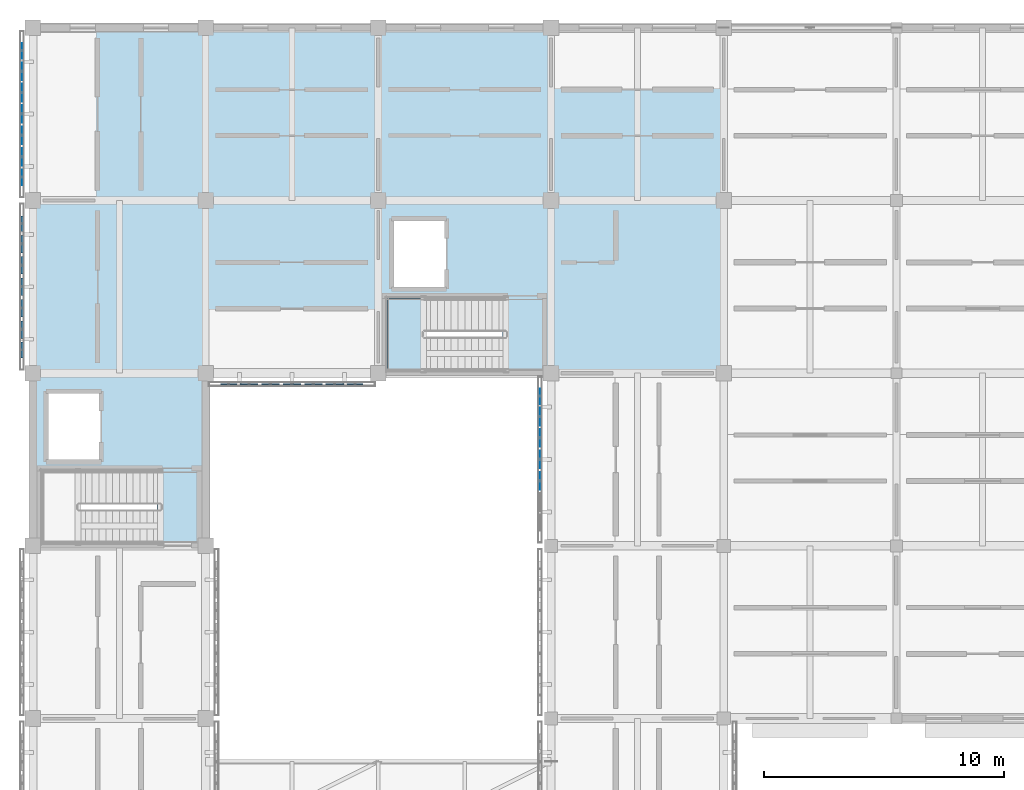
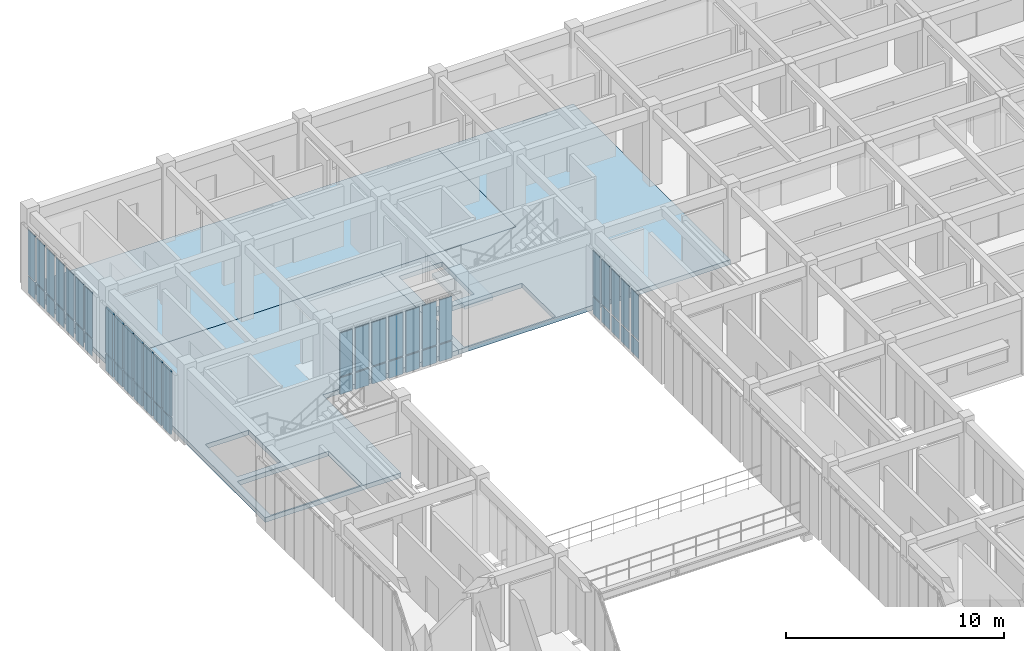
# One storey, part 53 of 91: 52 plates, 4 slabs, 5 elements without a shape of their own.
"""IFC4 building model written with IfcOpenShell, lengths in metres."""

from ifc_helpers import new_model, si_unit, direction, frame, origin, origin_2d, place, context, subcontext, project, spatial, polyline, rectangle, outline, extrude, material, layer, layer_set, type_object, element, aggregate, save


model = new_model("IFC4")

# Units and contexts
model_context = context("Model", 3, precision=1e-05, world=origin(), true_north=direction((0.0, 1.0)))
body_context = subcontext(model_context, "Body", "Model", "MODEL_VIEW")
ifc_project = project(units=[si_unit("LENGTHUNIT", "METRE"), si_unit("AREAUNIT", "SQUARE_METRE"), si_unit("VOLUMEUNIT", "CUBIC_METRE"), si_unit("PLANEANGLEUNIT", "RADIAN"), si_unit("MASSUNIT", "GRAM", prefix="KILO")], contexts=[model_context])

# Site, building, storey
site_placement = place(None, origin())
site = spatial("IfcSite", under=ifc_project, at=site_placement, CompositionType="ELEMENT")
building_placement = place(site_placement, origin())
building = spatial("IfcBuilding", under=site, at=building_placement, Name="Aldebral Square Health Centre", CompositionType="ELEMENT")
storey_placement = place(building_placement, frame((0.0, 0.0, 9.0)))
storey = spatial("IfcBuildingStorey", under=building, at=storey_placement, Name="L02", CompositionType="ELEMENT", Elevation=9.0)

# Curtain wall, plates
ifc_material_1 = material(Name="Aluminium and low-E solar glass", Category="aluminium")
curtain_wall_type = type_object("IfcCurtainWallType", Name="CW-FIN-SYS", PredefinedType="USERDEFINED", material=ifc_material_1)
curtain_wall_1_placement = place(storey_placement, origin())
curtain_wall_1 = element("IfcCurtainWall", 1, at=curtain_wall_1_placement, inside=storey, type_object=curtain_wall_type, Name="L02 V4 finned curtain wall L02-V4-00-15-W", ObjectType="SOLAR_CURTAIN_WALL", PredefinedType="USERDEFINED")
ifc_material_2 = material(Name="Solar-control low-E double glass", Category="glass")
ifc_layer_1 = layer(ifc_material_2, 0.02001953125, Name="Solar-control low-E double glass", Category="glass")
ifc_layer_set_1 = layer_set([ifc_layer_1], Name="Solar-control low-E double glass")
plate_type_1 = type_object("IfcPlateType", Name="CWP-GLZ-1", PredefinedType="CURTAIN_PANEL", material=ifc_layer_set_1)
plate_1_placement = place(storey_placement, frame((-0.4599609375, 114.234375, 0.074951171875), z_axis=(0.0, 0.0, 1.0), x_axis=(0.0, -1.0, 0.0)))
plate_1 = element("IfcPlate", 2, at=plate_1_placement, type_object=plate_type_1, Name="CW1 panel 1.1", PredefinedType="CURTAIN_PANEL", context=body_context, shape_type="SweptSolid", body=[
    extrude(rectangle(XDim=0.6513671875, YDim=0.02001953125, at=origin_2d()), origin(), (0.0, 0.0, 1.0), 0.9375),
])
plate_2_placement = place(storey_placement, frame((-0.4599609375, 114.234375, 1.08740234375), z_axis=(0.0, 0.0, 1.0), x_axis=(0.0, -1.0, 0.0)))
plate_2 = element("IfcPlate", 3, at=plate_2_placement, type_object=plate_type_1, Name="CW1 panel 1.2", PredefinedType="CURTAIN_PANEL", context=body_context, shape_type="SweptSolid", body=[
    extrude(rectangle(XDim=0.6513671875, YDim=0.02001953125, at=origin_2d()), origin(), (0.0, 0.0, 1.0), 2.527587890625),
])
plate_3_placement = place(storey_placement, frame((-0.4599609375, 113.3828125, 0.074951171875), z_axis=(0.0, 0.0, 1.0), x_axis=(0.0, -1.0, 0.0)))
plate_3 = element("IfcPlate", 4, at=plate_3_placement, type_object=plate_type_1, Name="CW1 panel 2.1", PredefinedType="CURTAIN_PANEL", context=body_context, shape_type="SweptSolid", body=[
    extrude(rectangle(XDim=0.7314453125, YDim=0.02001953125, at=origin_2d()), origin(), (0.0, 0.0, 1.0), 0.9375),
])
plate_4_placement = place(storey_placement, frame((-0.4599609375, 113.3828125, 1.08740234375), z_axis=(0.0, 0.0, 1.0), x_axis=(0.0, -1.0, 0.0)))
plate_4 = element("IfcPlate", 5, at=plate_4_placement, type_object=plate_type_1, Name="CW1 panel 2.2", PredefinedType="CURTAIN_PANEL", context=body_context, shape_type="SweptSolid", body=[
    extrude(rectangle(XDim=0.7314453125, YDim=0.02001953125, at=origin_2d()), origin(), (0.0, 0.0, 1.0), 2.527587890625),
])
plate_5_placement = place(storey_placement, frame((-0.4599609375, 112.491455078125, 0.074951171875), z_axis=(0.0, 0.0, 1.0), x_axis=(0.0, -1.0, 0.0)))
plate_5 = element("IfcPlate", 6, at=plate_5_placement, type_object=plate_type_1, Name="CW1 panel 3.1", PredefinedType="CURTAIN_PANEL", context=body_context, shape_type="SweptSolid", body=[
    extrude(rectangle(XDim=0.7314453125, YDim=0.02001953125, at=origin_2d()), origin(), (0.0, 0.0, 1.0), 0.9375),
])
plate_6_placement = place(storey_placement, frame((-0.4599609375, 112.491455078125, 1.08740234375), z_axis=(0.0, 0.0, 1.0), x_axis=(0.0, -1.0, 0.0)))
plate_6 = element("IfcPlate", 7, at=plate_6_placement, type_object=plate_type_1, Name="CW1 panel 3.2", PredefinedType="CURTAIN_PANEL", context=body_context, shape_type="SweptSolid", body=[
    extrude(rectangle(XDim=0.7314453125, YDim=0.02001953125, at=origin_2d()), origin(), (0.0, 0.0, 1.0), 2.527587890625),
])
plate_7_placement = place(storey_placement, frame((-0.4599609375, 111.60009765625, 0.074951171875), z_axis=(0.0, 0.0, 1.0), x_axis=(0.0, -1.0, 0.0)))
plate_7 = element("IfcPlate", 8, at=plate_7_placement, type_object=plate_type_1, Name="CW1 panel 4.1", PredefinedType="CURTAIN_PANEL", context=body_context, shape_type="SweptSolid", body=[
    extrude(rectangle(XDim=0.7314453125, YDim=0.02001953125, at=origin_2d()), origin(), (0.0, 0.0, 1.0), 0.9375),
])
plate_8_placement = place(storey_placement, frame((-0.4599609375, 111.60009765625, 1.08740234375), z_axis=(0.0, 0.0, 1.0), x_axis=(0.0, -1.0, 0.0)))
plate_8 = element("IfcPlate", 9, at=plate_8_placement, type_object=plate_type_1, Name="CW1 panel 4.2", PredefinedType="CURTAIN_PANEL", context=body_context, shape_type="SweptSolid", body=[
    extrude(rectangle(XDim=0.7314453125, YDim=0.02001953125, at=origin_2d()), origin(), (0.0, 0.0, 1.0), 2.527587890625),
])
plate_9_placement = place(storey_placement, frame((-0.4599609375, 110.70849609375, 0.074951171875), z_axis=(0.0, 0.0, 1.0), x_axis=(0.0, -1.0, 0.0)))
plate_9 = element("IfcPlate", 10, at=plate_9_placement, type_object=plate_type_1, Name="CW1 panel 5.1", PredefinedType="CURTAIN_PANEL", context=body_context, shape_type="SweptSolid", body=[
    extrude(rectangle(XDim=0.7314453125, YDim=0.02001953125, at=origin_2d()), origin(), (0.0, 0.0, 1.0), 0.9375),
])
plate_10_placement = place(storey_placement, frame((-0.4599609375, 110.70849609375, 1.08740234375), z_axis=(0.0, 0.0, 1.0), x_axis=(0.0, -1.0, 0.0)))
plate_10 = element("IfcPlate", 11, at=plate_10_placement, type_object=plate_type_1, Name="CW1 panel 5.2", PredefinedType="CURTAIN_PANEL", context=body_context, shape_type="SweptSolid", body=[
    extrude(rectangle(XDim=0.7314453125, YDim=0.02001953125, at=origin_2d()), origin(), (0.0, 0.0, 1.0), 2.527587890625),
])
plate_11_placement = place(storey_placement, frame((-0.4599609375, 109.817138671875, 0.074951171875), z_axis=(0.0, 0.0, 1.0), x_axis=(0.0, -1.0, 0.0)))
plate_11 = element("IfcPlate", 12, at=plate_11_placement, type_object=plate_type_1, Name="CW1 panel 6.1", PredefinedType="CURTAIN_PANEL", context=body_context, shape_type="SweptSolid", body=[
    extrude(rectangle(XDim=0.7314453125, YDim=0.02001953125, at=origin_2d()), origin(), (0.0, 0.0, 1.0), 0.9375),
])
plate_12_placement = place(storey_placement, frame((-0.4599609375, 109.817138671875, 1.08740234375), z_axis=(0.0, 0.0, 1.0), x_axis=(0.0, -1.0, 0.0)))
plate_12 = element("IfcPlate", 13, at=plate_12_placement, type_object=plate_type_1, Name="CW1 panel 6.2", PredefinedType="CURTAIN_PANEL", context=body_context, shape_type="SweptSolid", body=[
    extrude(rectangle(XDim=0.7314453125, YDim=0.02001953125, at=origin_2d()), origin(), (0.0, 0.0, 1.0), 2.527587890625),
])
plate_13_placement = place(storey_placement, frame((-0.4599609375, 108.9658203125, 0.074951171875), z_axis=(0.0, 0.0, 1.0), x_axis=(0.0, -1.0, 0.0)))
plate_13 = element("IfcPlate", 14, at=plate_13_placement, type_object=plate_type_1, Name="CW1 panel 7.1", PredefinedType="CURTAIN_PANEL", context=body_context, shape_type="SweptSolid", body=[
    extrude(rectangle(XDim=0.6513671875, YDim=0.02001953125, at=origin_2d()), origin(), (0.0, 0.0, 1.0), 0.9375),
])
plate_14_placement = place(storey_placement, frame((-0.4599609375, 108.9658203125, 1.08740234375), z_axis=(0.0, 0.0, 1.0), x_axis=(0.0, -1.0, 0.0)))
plate_14 = element("IfcPlate", 15, at=plate_14_placement, type_object=plate_type_1, Name="CW1 panel 7.2", PredefinedType="CURTAIN_PANEL", context=body_context, shape_type="SweptSolid", body=[
    extrude(rectangle(XDim=0.6513671875, YDim=0.02001953125, at=origin_2d()), origin(), (0.0, 0.0, 1.0), 2.527587890625),
])
aggregate(curtain_wall_1, [plate_1, plate_2, plate_3, plate_4, plate_5, plate_6, plate_7, plate_8, plate_9, plate_10, plate_11, plate_12, plate_13, plate_14])

curtain_wall_2_placement = place(storey_placement, origin())
curtain_wall_2 = element("IfcCurtainWall", 16, at=curtain_wall_2_placement, inside=storey, type_object=curtain_wall_type, Name="L02 V4 finned curtain wall L02-V4-03-13-W", ObjectType="SOLAR_CURTAIN_WALL", PredefinedType="USERDEFINED")
plate_15_placement = place(storey_placement, frame((21.139892578125, 99.834228515625, 0.074951171875), z_axis=(0.0, 0.0, 1.0), x_axis=(0.0, -1.0, 0.0)))
plate_15 = element("IfcPlate", 17, at=plate_15_placement, type_object=plate_type_1, Name="CW1 panel 1.1", PredefinedType="CURTAIN_PANEL", context=body_context, shape_type="SweptSolid", body=[
    extrude(rectangle(XDim=0.6513671875, YDim=0.02001953125, at=origin_2d()), origin(), (0.0, 0.0, 1.0), 0.9375),
])
plate_16_placement = place(storey_placement, frame((21.139892578125, 99.834228515625, 1.08740234375), z_axis=(0.0, 0.0, 1.0), x_axis=(0.0, -1.0, 0.0)))
plate_16 = element("IfcPlate", 18, at=plate_16_placement, type_object=plate_type_1, Name="CW1 panel 1.2", PredefinedType="CURTAIN_PANEL", context=body_context, shape_type="SweptSolid", body=[
    extrude(rectangle(XDim=0.6513671875, YDim=0.02001953125, at=origin_2d()), origin(), (0.0, 0.0, 1.0), 2.527587890625),
])
plate_17_placement = place(storey_placement, frame((21.139892578125, 98.98291015625, 0.074951171875), z_axis=(0.0, 0.0, 1.0), x_axis=(0.0, -1.0, 0.0)))
plate_17 = element("IfcPlate", 19, at=plate_17_placement, type_object=plate_type_1, Name="CW1 panel 2.1", PredefinedType="CURTAIN_PANEL", context=body_context, shape_type="SweptSolid", body=[
    extrude(rectangle(XDim=0.7314453125, YDim=0.02001953125, at=origin_2d()), origin(), (0.0, 0.0, 1.0), 0.9375),
])
plate_18_placement = place(storey_placement, frame((21.139892578125, 98.98291015625, 1.08740234375), z_axis=(0.0, 0.0, 1.0), x_axis=(0.0, -1.0, 0.0)))
plate_18 = element("IfcPlate", 20, at=plate_18_placement, type_object=plate_type_1, Name="CW1 panel 2.2", PredefinedType="CURTAIN_PANEL", context=body_context, shape_type="SweptSolid", body=[
    extrude(rectangle(XDim=0.7314453125, YDim=0.02001953125, at=origin_2d()), origin(), (0.0, 0.0, 1.0), 2.527587890625),
])
plate_19_placement = place(storey_placement, frame((21.139892578125, 98.09130859375, 0.074951171875), z_axis=(0.0, 0.0, 1.0), x_axis=(0.0, -1.0, 0.0)))
plate_19 = element("IfcPlate", 21, at=plate_19_placement, type_object=plate_type_1, Name="CW1 panel 3.1", PredefinedType="CURTAIN_PANEL", context=body_context, shape_type="SweptSolid", body=[
    extrude(rectangle(XDim=0.7314453125, YDim=0.02001953125, at=origin_2d()), origin(), (0.0, 0.0, 1.0), 0.9375),
])
plate_20_placement = place(storey_placement, frame((21.139892578125, 98.09130859375, 1.08740234375), z_axis=(0.0, 0.0, 1.0), x_axis=(0.0, -1.0, 0.0)))
plate_20 = element("IfcPlate", 22, at=plate_20_placement, type_object=plate_type_1, Name="CW1 panel 3.2", PredefinedType="CURTAIN_PANEL", context=body_context, shape_type="SweptSolid", body=[
    extrude(rectangle(XDim=0.7314453125, YDim=0.02001953125, at=origin_2d()), origin(), (0.0, 0.0, 1.0), 2.527587890625),
])
plate_21_placement = place(storey_placement, frame((21.139892578125, 97.199951171875, 0.074951171875), z_axis=(0.0, 0.0, 1.0), x_axis=(0.0, -1.0, 0.0)))
plate_21 = element("IfcPlate", 23, at=plate_21_placement, type_object=plate_type_1, Name="CW1 panel 4.1", PredefinedType="CURTAIN_PANEL", context=body_context, shape_type="SweptSolid", body=[
    extrude(rectangle(XDim=0.7314453125, YDim=0.02001953125, at=origin_2d()), origin(), (0.0, 0.0, 1.0), 0.9375),
])
plate_22_placement = place(storey_placement, frame((21.139892578125, 97.199951171875, 1.08740234375), z_axis=(0.0, 0.0, 1.0), x_axis=(0.0, -1.0, 0.0)))
plate_22 = element("IfcPlate", 24, at=plate_22_placement, type_object=plate_type_1, Name="CW1 panel 4.2", PredefinedType="CURTAIN_PANEL", context=body_context, shape_type="SweptSolid", body=[
    extrude(rectangle(XDim=0.7314453125, YDim=0.02001953125, at=origin_2d()), origin(), (0.0, 0.0, 1.0), 2.527587890625),
])
plate_23_placement = place(storey_placement, frame((21.139892578125, 96.30859375, 0.074951171875), z_axis=(0.0, 0.0, 1.0), x_axis=(0.0, -1.0, 0.0)))
plate_23 = element("IfcPlate", 25, at=plate_23_placement, type_object=plate_type_1, Name="CW1 panel 5.1", PredefinedType="CURTAIN_PANEL", context=body_context, shape_type="SweptSolid", body=[
    extrude(rectangle(XDim=0.7314453125, YDim=0.02001953125, at=origin_2d()), origin(), (0.0, 0.0, 1.0), 0.9375),
])
plate_24_placement = place(storey_placement, frame((21.139892578125, 96.30859375, 1.08740234375), z_axis=(0.0, 0.0, 1.0), x_axis=(0.0, -1.0, 0.0)))
plate_24 = element("IfcPlate", 26, at=plate_24_placement, type_object=plate_type_1, Name="CW1 panel 5.2", PredefinedType="CURTAIN_PANEL", context=body_context, shape_type="SweptSolid", body=[
    extrude(rectangle(XDim=0.7314453125, YDim=0.02001953125, at=origin_2d()), origin(), (0.0, 0.0, 1.0), 2.527587890625),
])
aggregate(curtain_wall_2, [plate_15, plate_16, plate_17, plate_18, plate_19, plate_20, plate_21, plate_22, plate_23, plate_24])

curtain_wall_3_placement = place(storey_placement, origin())
curtain_wall_3 = element("IfcCurtainWall", 27, at=curtain_wall_3_placement, inside=storey, type_object=curtain_wall_type, Name="L02 V4 finned curtain wall L02-V4-01-14-S", ObjectType="SOLAR_CURTAIN_WALL", PredefinedType="USERDEFINED")
ifc_layer_2 = layer(ifc_material_2, 0.050048828125, Name="Solar-control low-E double glass", Category="glass")
ifc_layer_set_2 = layer_set([ifc_layer_2], Name="Solar-control low-E double glass")
plate_type_2 = type_object("IfcPlateType", Name="CWP-GLZ-4", PredefinedType="CURTAIN_PANEL", material=ifc_layer_set_2)
plate_25_placement = place(storey_placement, frame((8.165771484375, 100.340087890625, 0.074951171875), z_axis=(0.0, 0.0, 1.0), x_axis=(1.0, 0.0, 0.0)))
plate_25 = element("IfcPlate", 28, at=plate_25_placement, type_object=plate_type_2, Name="CW1 panel 1.1", PredefinedType="CURTAIN_PANEL", context=body_context, shape_type="SweptSolid", body=[
    extrude(rectangle(XDim=0.6513671875, YDim=0.050048828125, at=origin_2d()), origin(), (0.0, 0.0, 1.0), 0.9375),
])
plate_26_placement = place(storey_placement, frame((8.165771484375, 100.340087890625, 1.08740234375), z_axis=(0.0, 0.0, 1.0), x_axis=(1.0, 0.0, 0.0)))
plate_26 = element("IfcPlate", 29, at=plate_26_placement, type_object=plate_type_2, Name="CW1 panel 1.2", PredefinedType="CURTAIN_PANEL", context=body_context, shape_type="SweptSolid", body=[
    extrude(rectangle(XDim=0.6513671875, YDim=0.050048828125, at=origin_2d()), origin(), (0.0, 0.0, 1.0), 2.427490234375),
])
plate_27_placement = place(storey_placement, frame((9.01708984375, 100.340087890625, 0.074951171875), z_axis=(0.0, 0.0, 1.0), x_axis=(1.0, 0.0, 0.0)))
plate_27 = element("IfcPlate", 30, at=plate_27_placement, type_object=plate_type_2, Name="CW1 panel 2.1", PredefinedType="CURTAIN_PANEL", context=body_context, shape_type="SweptSolid", body=[
    extrude(rectangle(XDim=0.7314453125, YDim=0.050048828125, at=origin_2d()), origin(), (0.0, 0.0, 1.0), 0.9375),
])
plate_28_placement = place(storey_placement, frame((9.01708984375, 100.340087890625, 1.08740234375), z_axis=(0.0, 0.0, 1.0), x_axis=(1.0, 0.0, 0.0)))
plate_28 = element("IfcPlate", 31, at=plate_28_placement, type_object=plate_type_2, Name="CW1 panel 2.2", PredefinedType="CURTAIN_PANEL", context=body_context, shape_type="SweptSolid", body=[
    extrude(rectangle(XDim=0.7314453125, YDim=0.050048828125, at=origin_2d()), origin(), (0.0, 0.0, 1.0), 2.427490234375),
])
plate_29_placement = place(storey_placement, frame((9.90869140625, 100.340087890625, 0.074951171875), z_axis=(0.0, 0.0, 1.0), x_axis=(1.0, 0.0, 0.0)))
plate_29 = element("IfcPlate", 32, at=plate_29_placement, type_object=plate_type_2, Name="CW1 panel 3.1", PredefinedType="CURTAIN_PANEL", context=body_context, shape_type="SweptSolid", body=[
    extrude(rectangle(XDim=0.7314453125, YDim=0.050048828125, at=origin_2d()), origin(), (0.0, 0.0, 1.0), 0.9375),
])
plate_30_placement = place(storey_placement, frame((9.90869140625, 100.340087890625, 1.08740234375), z_axis=(0.0, 0.0, 1.0), x_axis=(1.0, 0.0, 0.0)))
plate_30 = element("IfcPlate", 33, at=plate_30_placement, type_object=plate_type_2, Name="CW1 panel 3.2", PredefinedType="CURTAIN_PANEL", context=body_context, shape_type="SweptSolid", body=[
    extrude(rectangle(XDim=0.7314453125, YDim=0.050048828125, at=origin_2d()), origin(), (0.0, 0.0, 1.0), 2.427490234375),
])
plate_31_placement = place(storey_placement, frame((10.800048828125, 100.340087890625, 0.074951171875), z_axis=(0.0, 0.0, 1.0), x_axis=(1.0, 0.0, 0.0)))
plate_31 = element("IfcPlate", 34, at=plate_31_placement, type_object=plate_type_2, Name="CW1 panel 4.1", PredefinedType="CURTAIN_PANEL", context=body_context, shape_type="SweptSolid", body=[
    extrude(rectangle(XDim=0.7314453125, YDim=0.050048828125, at=origin_2d()), origin(), (0.0, 0.0, 1.0), 0.9375),
])
plate_32_placement = place(storey_placement, frame((10.800048828125, 100.340087890625, 1.08740234375), z_axis=(0.0, 0.0, 1.0), x_axis=(1.0, 0.0, 0.0)))
plate_32 = element("IfcPlate", 35, at=plate_32_placement, type_object=plate_type_2, Name="CW1 panel 4.2", PredefinedType="CURTAIN_PANEL", context=body_context, shape_type="SweptSolid", body=[
    extrude(rectangle(XDim=0.7314453125, YDim=0.050048828125, at=origin_2d()), origin(), (0.0, 0.0, 1.0), 2.427490234375),
])
plate_33_placement = place(storey_placement, frame((11.69140625, 100.340087890625, 0.074951171875), z_axis=(0.0, 0.0, 1.0), x_axis=(1.0, 0.0, 0.0)))
plate_33 = element("IfcPlate", 36, at=plate_33_placement, type_object=plate_type_2, Name="CW1 panel 5.1", PredefinedType="CURTAIN_PANEL", context=body_context, shape_type="SweptSolid", body=[
    extrude(rectangle(XDim=0.7314453125, YDim=0.050048828125, at=origin_2d()), origin(), (0.0, 0.0, 1.0), 0.9375),
])
plate_34_placement = place(storey_placement, frame((11.69140625, 100.340087890625, 1.08740234375), z_axis=(0.0, 0.0, 1.0), x_axis=(1.0, 0.0, 0.0)))
plate_34 = element("IfcPlate", 37, at=plate_34_placement, type_object=plate_type_2, Name="CW1 panel 5.2", PredefinedType="CURTAIN_PANEL", context=body_context, shape_type="SweptSolid", body=[
    extrude(rectangle(XDim=0.7314453125, YDim=0.050048828125, at=origin_2d()), origin(), (0.0, 0.0, 1.0), 2.427490234375),
])
plate_35_placement = place(storey_placement, frame((12.582763671875, 100.340087890625, 0.074951171875), z_axis=(0.0, 0.0, 1.0), x_axis=(1.0, 0.0, 0.0)))
plate_35 = element("IfcPlate", 38, at=plate_35_placement, type_object=plate_type_2, Name="CW1 panel 6.1", PredefinedType="CURTAIN_PANEL", context=body_context, shape_type="SweptSolid", body=[
    extrude(rectangle(XDim=0.7314453125, YDim=0.050048828125, at=origin_2d()), origin(), (0.0, 0.0, 1.0), 0.9375),
])
plate_36_placement = place(storey_placement, frame((12.582763671875, 100.340087890625, 1.08740234375), z_axis=(0.0, 0.0, 1.0), x_axis=(1.0, 0.0, 0.0)))
plate_36 = element("IfcPlate", 39, at=plate_36_placement, type_object=plate_type_2, Name="CW1 panel 6.2", PredefinedType="CURTAIN_PANEL", context=body_context, shape_type="SweptSolid", body=[
    extrude(rectangle(XDim=0.7314453125, YDim=0.050048828125, at=origin_2d()), origin(), (0.0, 0.0, 1.0), 2.427490234375),
])
plate_37_placement = place(storey_placement, frame((13.434326171875, 100.340087890625, 0.074951171875), z_axis=(0.0, 0.0, 1.0), x_axis=(1.0, 0.0, 0.0)))
plate_37 = element("IfcPlate", 40, at=plate_37_placement, type_object=plate_type_2, Name="CW1 panel 7.1", PredefinedType="CURTAIN_PANEL", context=body_context, shape_type="SweptSolid", body=[
    extrude(rectangle(XDim=0.6513671875, YDim=0.050048828125, at=origin_2d()), origin(), (0.0, 0.0, 1.0), 0.9375),
])
plate_38_placement = place(storey_placement, frame((13.434326171875, 100.340087890625, 1.08740234375), z_axis=(0.0, 0.0, 1.0), x_axis=(1.0, 0.0, 0.0)))
plate_38 = element("IfcPlate", 41, at=plate_38_placement, type_object=plate_type_2, Name="CW1 panel 7.2", PredefinedType="CURTAIN_PANEL", context=body_context, shape_type="SweptSolid", body=[
    extrude(rectangle(XDim=0.6513671875, YDim=0.050048828125, at=origin_2d()), origin(), (0.0, 0.0, 1.0), 2.427490234375),
])
aggregate(curtain_wall_3, [plate_25, plate_26, plate_27, plate_28, plate_29, plate_30, plate_31, plate_32, plate_33, plate_34, plate_35, plate_36, plate_37, plate_38])

curtain_wall_4_placement = place(storey_placement, origin())
curtain_wall_4 = element("IfcCurtainWall", 42, at=curtain_wall_4_placement, inside=storey, type_object=curtain_wall_type, Name="L02 V4 finned curtain wall L02-V4-00-14-W", ObjectType="SOLAR_CURTAIN_WALL", PredefinedType="USERDEFINED")
ifc_layer_3 = layer(ifc_material_2, 0.090087890625, Name="Solar-control low-E double glass", Category="glass")
ifc_layer_set_3 = layer_set([ifc_layer_3], Name="Solar-control low-E double glass")
plate_type_3 = type_object("IfcPlateType", Name="CWP-GLZ-8", PredefinedType="CURTAIN_PANEL", material=ifc_layer_set_3)
plate_39_placement = place(storey_placement, frame((-0.4599609375, 107.0341796875, 0.074951171875), z_axis=(0.0, 0.0, 1.0), x_axis=(0.0, -1.0, 0.0)))
plate_39 = element("IfcPlate", 43, at=plate_39_placement, type_object=plate_type_3, Name="CW1 panel 1.1", PredefinedType="CURTAIN_PANEL", context=body_context, shape_type="SweptSolid", body=[
    extrude(rectangle(XDim=0.6513671875, YDim=0.090087890625, at=origin_2d()), origin(), (0.0, 0.0, 1.0), 0.9375),
])
plate_40_placement = place(storey_placement, frame((-0.4599609375, 107.0341796875, 1.08740234375), z_axis=(0.0, 0.0, 1.0), x_axis=(0.0, -1.0, 0.0)))
plate_40 = element("IfcPlate", 44, at=plate_40_placement, type_object=plate_type_3, Name="CW1 panel 1.2", PredefinedType="CURTAIN_PANEL", context=body_context, shape_type="SweptSolid", body=[
    extrude(rectangle(XDim=0.6513671875, YDim=0.090087890625, at=origin_2d()), origin(), (0.0, 0.0, 1.0), 2.527587890625),
])
plate_41_placement = place(storey_placement, frame((-0.4599609375, 106.182861328125, 0.074951171875), z_axis=(0.0, 0.0, 1.0), x_axis=(0.0, -1.0, 0.0)))
plate_41 = element("IfcPlate", 45, at=plate_41_placement, type_object=plate_type_3, Name="CW1 panel 2.1", PredefinedType="CURTAIN_PANEL", context=body_context, shape_type="SweptSolid", body=[
    extrude(rectangle(XDim=0.7314453125, YDim=0.090087890625, at=origin_2d()), origin(), (0.0, 0.0, 1.0), 0.9375),
])
plate_42_placement = place(storey_placement, frame((-0.4599609375, 106.182861328125, 1.08740234375), z_axis=(0.0, 0.0, 1.0), x_axis=(0.0, -1.0, 0.0)))
plate_42 = element("IfcPlate", 46, at=plate_42_placement, type_object=plate_type_3, Name="CW1 panel 2.2", PredefinedType="CURTAIN_PANEL", context=body_context, shape_type="SweptSolid", body=[
    extrude(rectangle(XDim=0.7314453125, YDim=0.090087890625, at=origin_2d()), origin(), (0.0, 0.0, 1.0), 2.527587890625),
])
plate_43_placement = place(storey_placement, frame((-0.4599609375, 105.29150390625, 0.074951171875), z_axis=(0.0, 0.0, 1.0), x_axis=(0.0, -1.0, 0.0)))
plate_43 = element("IfcPlate", 47, at=plate_43_placement, type_object=plate_type_3, Name="CW1 panel 3.1", PredefinedType="CURTAIN_PANEL", context=body_context, shape_type="SweptSolid", body=[
    extrude(rectangle(XDim=0.7314453125, YDim=0.090087890625, at=origin_2d()), origin(), (0.0, 0.0, 1.0), 0.9375),
])
plate_44_placement = place(storey_placement, frame((-0.4599609375, 105.29150390625, 1.08740234375), z_axis=(0.0, 0.0, 1.0), x_axis=(0.0, -1.0, 0.0)))
plate_44 = element("IfcPlate", 48, at=plate_44_placement, type_object=plate_type_3, Name="CW1 panel 3.2", PredefinedType="CURTAIN_PANEL", context=body_context, shape_type="SweptSolid", body=[
    extrude(rectangle(XDim=0.7314453125, YDim=0.090087890625, at=origin_2d()), origin(), (0.0, 0.0, 1.0), 2.527587890625),
])
plate_45_placement = place(storey_placement, frame((-0.4599609375, 104.39990234375, 0.074951171875), z_axis=(0.0, 0.0, 1.0), x_axis=(0.0, -1.0, 0.0)))
plate_45 = element("IfcPlate", 49, at=plate_45_placement, type_object=plate_type_3, Name="CW1 panel 4.1", PredefinedType="CURTAIN_PANEL", context=body_context, shape_type="SweptSolid", body=[
    extrude(rectangle(XDim=0.7314453125, YDim=0.090087890625, at=origin_2d()), origin(), (0.0, 0.0, 1.0), 0.9375),
])
plate_46_placement = place(storey_placement, frame((-0.4599609375, 104.39990234375, 1.08740234375), z_axis=(0.0, 0.0, 1.0), x_axis=(0.0, -1.0, 0.0)))
plate_46 = element("IfcPlate", 50, at=plate_46_placement, type_object=plate_type_3, Name="CW1 panel 4.2", PredefinedType="CURTAIN_PANEL", context=body_context, shape_type="SweptSolid", body=[
    extrude(rectangle(XDim=0.7314453125, YDim=0.090087890625, at=origin_2d()), origin(), (0.0, 0.0, 1.0), 2.527587890625),
])
plate_47_placement = place(storey_placement, frame((-0.4599609375, 103.508544921875, 0.074951171875), z_axis=(0.0, 0.0, 1.0), x_axis=(0.0, -1.0, 0.0)))
plate_47 = element("IfcPlate", 51, at=plate_47_placement, type_object=plate_type_3, Name="CW1 panel 5.1", PredefinedType="CURTAIN_PANEL", context=body_context, shape_type="SweptSolid", body=[
    extrude(rectangle(XDim=0.7314453125, YDim=0.090087890625, at=origin_2d()), origin(), (0.0, 0.0, 1.0), 0.9375),
])
plate_48_placement = place(storey_placement, frame((-0.4599609375, 103.508544921875, 1.08740234375), z_axis=(0.0, 0.0, 1.0), x_axis=(0.0, -1.0, 0.0)))
plate_48 = element("IfcPlate", 52, at=plate_48_placement, type_object=plate_type_3, Name="CW1 panel 5.2", PredefinedType="CURTAIN_PANEL", context=body_context, shape_type="SweptSolid", body=[
    extrude(rectangle(XDim=0.7314453125, YDim=0.090087890625, at=origin_2d()), origin(), (0.0, 0.0, 1.0), 2.527587890625),
])
plate_49_placement = place(storey_placement, frame((-0.4599609375, 102.6171875, 0.074951171875), z_axis=(0.0, 0.0, 1.0), x_axis=(0.0, -1.0, 0.0)))
plate_49 = element("IfcPlate", 53, at=plate_49_placement, type_object=plate_type_3, Name="CW1 panel 6.1", PredefinedType="CURTAIN_PANEL", context=body_context, shape_type="SweptSolid", body=[
    extrude(rectangle(XDim=0.7314453125, YDim=0.090087890625, at=origin_2d()), origin(), (0.0, 0.0, 1.0), 0.9375),
])
plate_50_placement = place(storey_placement, frame((-0.4599609375, 102.6171875, 1.08740234375), z_axis=(0.0, 0.0, 1.0), x_axis=(0.0, -1.0, 0.0)))
plate_50 = element("IfcPlate", 54, at=plate_50_placement, type_object=plate_type_3, Name="CW1 panel 6.2", PredefinedType="CURTAIN_PANEL", context=body_context, shape_type="SweptSolid", body=[
    extrude(rectangle(XDim=0.7314453125, YDim=0.090087890625, at=origin_2d()), origin(), (0.0, 0.0, 1.0), 2.527587890625),
])
plate_51_placement = place(storey_placement, frame((-0.4599609375, 101.765625, 0.074951171875), z_axis=(0.0, 0.0, 1.0), x_axis=(0.0, -1.0, 0.0)))
plate_51 = element("IfcPlate", 55, at=plate_51_placement, type_object=plate_type_3, Name="CW1 panel 7.1", PredefinedType="CURTAIN_PANEL", context=body_context, shape_type="SweptSolid", body=[
    extrude(rectangle(XDim=0.6513671875, YDim=0.090087890625, at=origin_2d()), origin(), (0.0, 0.0, 1.0), 0.9375),
])
plate_52_placement = place(storey_placement, frame((-0.4599609375, 101.765625, 1.08740234375), z_axis=(0.0, 0.0, 1.0), x_axis=(0.0, -1.0, 0.0)))
plate_52 = element("IfcPlate", 56, at=plate_52_placement, type_object=plate_type_3, Name="CW1 panel 7.2", PredefinedType="CURTAIN_PANEL", context=body_context, shape_type="SweptSolid", body=[
    extrude(rectangle(XDim=0.6513671875, YDim=0.090087890625, at=origin_2d()), origin(), (0.0, 0.0, 1.0), 2.527587890625),
])
aggregate(curtain_wall_4, [plate_39, plate_40, plate_41, plate_42, plate_43, plate_44, plate_45, plate_46, plate_47, plate_48, plate_49, plate_50, plate_51, plate_52])

# Slabs
ifc_material_3 = material(Name="Concrete C35/45", Category="concrete")
ifc_layer_4 = layer(ifc_material_3, 0.260009765625, Name="Concrete C35/45", Category="concrete")
ifc_layer_set_4 = layer_set([ifc_layer_4], Name="Concrete C35/45")
slab_type_1 = type_object("IfcSlabType", Name="SL-FLR-260", PredefinedType="FLOOR", material=ifc_layer_set_4)
slab_1_placement = place(storey_placement, frame((0.0, 0.0, -0.260009765625)))
element("IfcSlab", 57, at=slab_1_placement, inside=storey, type_object=slab_type_1, Name="L02 V4 floor slab 4", PredefinedType="FLOOR", context=body_context, shape_type="SweptSolid", body=[
    extrude(outline(polyline([(0.0, 93.60009765625), (0.0, 100.800048828125), (0.0, 108.0), (7.199951171875, 108.0), (14.39990234375, 108.0), (14.39990234375, 100.800048828125), (7.199951171875, 100.800048828125), (7.199951171875, 93.60009765625), (0.0, 93.60009765625)]), holes=[polyline([(0.340087890625, 96.760009765625), (0.340087890625, 93.679931640625), (5.179931640625, 93.679931640625), (5.179931640625, 96.760009765625), (0.340087890625, 96.760009765625)]), polyline([(2.85009765625, 100.050048828125), (0.550048828125, 100.050048828125), (0.550048828125, 97.10009765625), (2.85009765625, 97.10009765625), (2.85009765625, 100.050048828125)])]), origin(), (0.0, 0.0, 1.0), 0.260009765625),
])
slab_2_placement = place(storey_placement, frame((0.0, 0.0, -0.260009765625)))
element("IfcSlab", 58, at=slab_2_placement, inside=storey, type_object=slab_type_1, Name="L02 V4 floor slab 5", PredefinedType="FLOOR", context=body_context, shape_type="SweptSolid", body=[
    extrude(outline(polyline([(0.0, 115.199951171875), (7.199951171875, 115.199951171875), (14.39990234375, 115.199951171875), (21.60009765625, 115.199951171875), (21.60009765625, 108.0), (14.39990234375, 108.0), (7.199951171875, 108.0), (0.0, 108.0), (0.0, 115.199951171875)])), origin(), (0.0, 0.0, 1.0), 0.260009765625),
])
slab_3_placement = place(storey_placement, frame((0.0, 0.0, -0.260009765625)))
element("IfcSlab", 59, at=slab_3_placement, inside=storey, type_object=slab_type_1, Name="L02 V4 floor slab 7", PredefinedType="FLOOR", context=body_context, shape_type="SweptSolid", body=[
    extrude(outline(polyline([(14.39990234375, 108.0), (21.60009765625, 108.0), (21.60009765625, 115.199951171875), (28.800048828125, 115.199951171875), (28.800048828125, 108.0), (28.800048828125, 100.800048828125), (21.60009765625, 100.800048828125), (14.39990234375, 100.800048828125), (14.39990234375, 108.0)]), holes=[polyline([(19.580078125, 103.9599609375), (14.739990234375, 103.9599609375), (14.739990234375, 100.8798828125), (19.580078125, 100.8798828125), (19.580078125, 103.9599609375)]), polyline([(14.949951171875, 107.25), (14.949951171875, 104.300048828125), (17.25, 104.300048828125), (17.25, 107.25), (14.949951171875, 107.25)])]), origin(), (0.0, 0.0, 1.0), 0.260009765625),
])

# Stair, slab
stair_type = type_object("IfcStairType", Name="ST-DOG-140", PredefinedType="HALF_TURN_STAIR", material=ifc_material_3)
stair_placement = place(storey_placement, origin())
stair = element("IfcStair", 60, at=stair_placement, inside=storey, type_object=stair_type, Name="L02 ST-02", PredefinedType="HALF_TURN_STAIR")
ifc_layer_5 = layer(ifc_material_3, 0.199951171875, Name="Concrete C35/45", Category="concrete")
ifc_layer_set_5 = layer_set([ifc_layer_5], Name="Concrete C35/45")
slab_type_2 = type_object("IfcSlabType", Name="SL-LND-200", PredefinedType="LANDING", material=ifc_layer_set_5)
slab_4_placement = place(storey_placement, frame((0.0, 0.0, 2.050048828125)))
slab_4 = element("IfcSlab", 61, at=slab_4_placement, type_object=slab_type_2, Name="ST-02 landing 1", PredefinedType="LANDING", context=body_context, shape_type="SweptSolid", body=[
    extrude(outline(polyline([(16.300048828125, 103.919921875), (14.780029296875, 103.919921875), (14.780029296875, 100.919921875), (16.300048828125, 100.919921875), (16.300048828125, 103.919921875)])), origin(), (0.0, 0.0, 1.0), 0.199951171875),
])
aggregate(stair, [slab_4])

save(model, "model.ifc")
